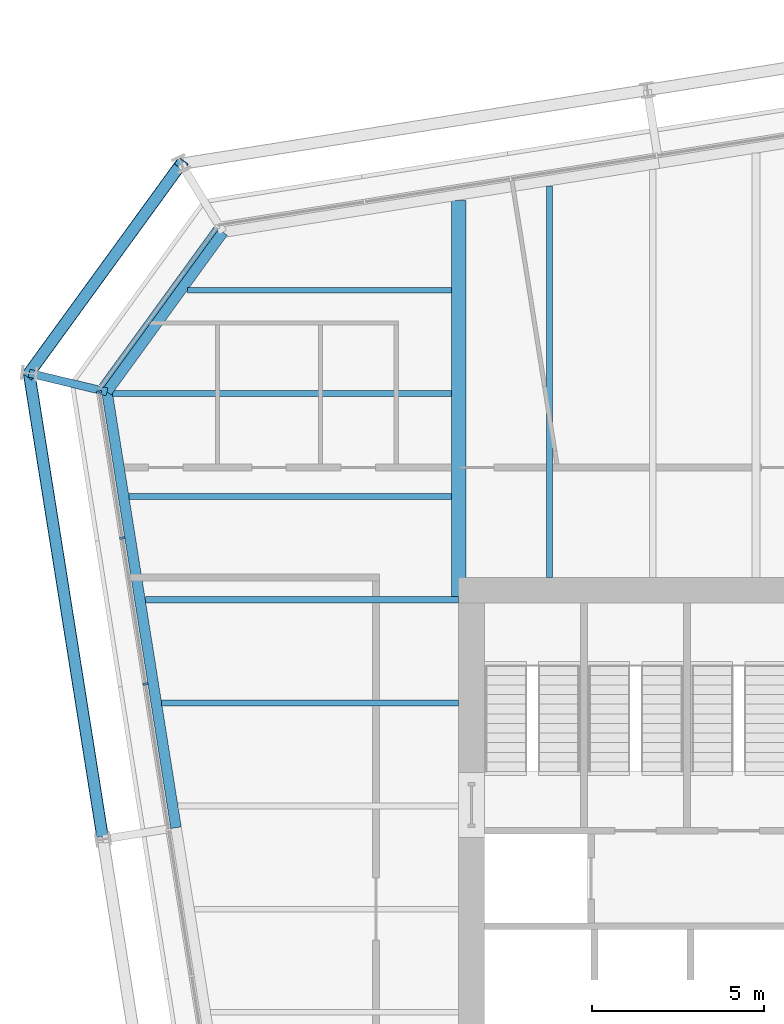
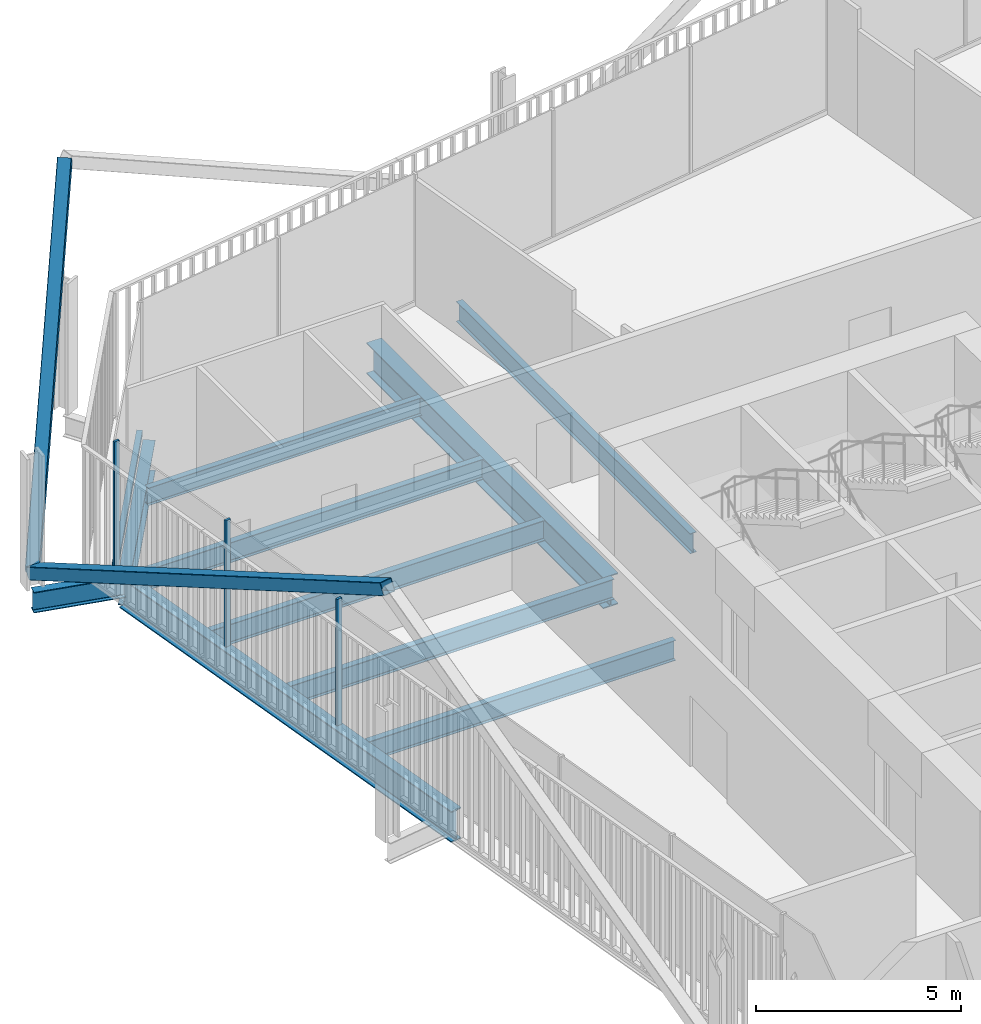
# One storey, part 10 of 22: 10 beams, 6 members, 2 elements without a shape of their own.
"""IFC4 building model written with IfcOpenShell, lengths in metres."""

from ifc_helpers import new_model, si_unit, direction, frame, origin, origin_2d, place, context, subcontext, project, spatial, rectangle, hollow_rectangle, i_section, extrude, material, layer, layer_set, material_profile, profile_set, type_object, element, aggregate, save


model = new_model("IFC4")

# Units and contexts
model_context = context("Model", 3, precision=1e-05, world=origin(), true_north=direction((0.0, 1.0)))
body_context = subcontext(model_context, "Body", "Model", "MODEL_VIEW")
ifc_project = project(units=[si_unit("LENGTHUNIT", "METRE"), si_unit("AREAUNIT", "SQUARE_METRE"), si_unit("VOLUMEUNIT", "CUBIC_METRE"), si_unit("PLANEANGLEUNIT", "RADIAN"), si_unit("MASSUNIT", "GRAM", prefix="KILO")], contexts=[model_context])

# Site, building, storey
site_placement = place(None, origin())
site = spatial("IfcSite", under=ifc_project, at=site_placement, CompositionType="ELEMENT")
building_placement = place(site_placement, origin())
building = spatial("IfcBuilding", under=site, at=building_placement, Name="Millrace Tower", CompositionType="ELEMENT")
storey_placement = place(building_placement, frame((0.0, 0.0, 137.300048828125)))
storey = spatial("IfcBuildingStorey", under=building, at=storey_placement, Name="L30", CompositionType="ELEMENT", Elevation=137.300048828125)

# Curtain wall, members
ifc_material_1 = material(Name="Aluminium and glass", Category="aluminium")
ifc_layer = layer(ifc_material_1, 0.14990234375)
ifc_layer_set = layer_set([ifc_layer], Name="Aluminium and glass")
curtain_wall_type = type_object("IfcCurtainWallType", Name="CW-1 office vision curtain wall", PredefinedType="NOTDEFINED", material=ifc_layer_set)
placement = place(storey_placement, origin())
curtain_wall_1 = element("IfcCurtainWall", 1, at=placement, inside=storey, type_object=curtain_wall_type, Name="Curtain wall C-F08 L30", PredefinedType="NOTDEFINED")
ifc_material_2 = material(Name="Aluminium", Category="aluminium")
ifc_material_profile_1 = material_profile(ifc_material_2, rectangle(XDim=0.06494140625, YDim=0.14990234375, at=origin_2d()))
ifc_profile_set_1 = profile_set([ifc_material_profile_1], Name="Aluminium")
member_type_1 = type_object("IfcMemberType", Name="CW-1 office vision curtain wall mullion", PredefinedType="MULLION", material=ifc_profile_set_1)
member_1_placement = place(storey_placement, frame((-25.106689453125, 15.041748046875, 0.139892578125), z_axis=(0.0, 0.0, 1.0), x_axis=(0.15643447328, -0.98768833929, 0.0)))
member_1 = element("IfcMember", 2, at=member_1_placement, type_object=member_type_1, Name="CW1 mullion C-F08.1", PredefinedType="MULLION", context=body_context, shape_type="SweptSolid", body=[
    extrude(rectangle(XDim=0.06494140625, YDim=0.14990234375, at=origin_2d()), origin(), (0.0, 0.0, 1.0), 3.760009765625),
])
member_2_placement = place(storey_placement, frame((-24.43408203125, 10.794677734375, 0.139892578125), z_axis=(0.0, 0.0, 1.0), x_axis=(0.15643447328, -0.98768833929, 0.0)))
member_2 = element("IfcMember", 3, at=member_2_placement, type_object=member_type_1, Name="CW1 mullion C-F08.2", PredefinedType="MULLION", context=body_context, shape_type="SweptSolid", body=[
    extrude(rectangle(XDim=0.06494140625, YDim=0.14990234375, at=origin_2d()), origin(), (0.0, 0.0, 1.0), 3.760009765625),
])
member_3_placement = place(storey_placement, frame((-23.76123046875, 6.547607421875, 0.139892578125), z_axis=(0.0, 0.0, 1.0), x_axis=(0.15643447328, -0.98768833929, 0.0)))
member_3 = element("IfcMember", 4, at=member_3_placement, type_object=member_type_1, Name="CW1 mullion C-F08.3", PredefinedType="MULLION", context=body_context, shape_type="SweptSolid", body=[
    extrude(rectangle(XDim=0.06494140625, YDim=0.14990234375, at=origin_2d()), origin(), (0.0, 0.0, 1.0), 3.760009765625),
])
aggregate(curtain_wall_1, [member_1, member_2, member_3])

# Curtain wall, member
curtain_wall_2 = element("IfcCurtainWall", 5, at=placement, inside=storey, type_object=curtain_wall_type, Name="Curtain wall C-F07 L30", PredefinedType="NOTDEFINED")
ifc_material_3 = material(Name="Aluminium", Category="aluminium")
ifc_material_profile_2 = material_profile(ifc_material_3, rectangle(XDim=0.14990234375, YDim=0.139892578125, at=origin_2d()))
ifc_profile_set_2 = profile_set([ifc_material_profile_2], Name="Aluminium")
member_type_2 = type_object("IfcMemberType", Name="CW-1 office vision curtain wall transom", PredefinedType="USERDEFINED", material=ifc_profile_set_2)
member_4_placement = place(storey_placement, frame((-21.70751953125, 19.796875, 0.070068359375), z_axis=(-0.587761915215, -0.80903394924, 0.0), x_axis=(0.80903394924, -0.587761915215, 0.0)))
member_4 = element("IfcMember", 6, at=member_4_placement, type_object=member_type_2, Name="CW1 transom C-F07.1", ObjectType="TRANSOM", PredefinedType="USERDEFINED", context=body_context, shape_type="SweptSolid", body=[
    extrude(rectangle(XDim=0.14990234375, YDim=0.139892578125, at=origin_2d()), origin(), (0.0, 0.0, 1.0), 5.6689453125),
])
aggregate(curtain_wall_2, [member_4])

# Members
ifc_material_4 = material(Name="Steel ASTM A500 Grade C", Category="steel")
ifc_material_profile_3 = material_profile(ifc_material_4, hollow_rectangle(XDim=0.355712890625, YDim=0.355712890625, WallThickness=0.015869140625, InnerFilletRadius=0.008056640625, OuterFilletRadius=0.02392578125, at=origin_2d()))
ifc_profile_set_3 = profile_set([ifc_material_profile_3], Name="Steel ASTM A500 Grade C")
member_type_3 = type_object("IfcMemberType", Name="Exoskeleton brace HSS14x14x5/8", PredefinedType="BRACE", material=ifc_profile_set_3)
member_5_placement = place(storey_placement, frame((-27.142578125, 15.5908203125, 0.39990234375), z_axis=(0.430389097037, 0.592387752691, 0.681059450866), x_axis=(-0.809020759968, 0.587780069364, 0.0)))
element("IfcMember", 7, at=member_5_placement, inside=storey, type_object=member_type_3, Name="BRC-C-L30-13", PredefinedType="BRACE", context=body_context, shape_type="SweptSolid", body=[
    extrude(hollow_rectangle(XDim=0.355712890625, YDim=0.355712890625, WallThickness=0.015869140625, InnerFilletRadius=0.008056640625, OuterFilletRadius=0.02392578125, at=origin_2d()), origin(), (0.0, 0.0, 1.0), 10.278076171875),
])
member_6_placement = place(storey_placement, frame((-27.142578125, 15.5908203125, 0.39990234375), z_axis=(0.139355372932, -0.879906554943, 0.454251620363), x_axis=(0.987689751328, 0.156425557764, 0.0)))
element("IfcMember", 8, at=member_6_placement, inside=storey, type_object=member_type_3, Name="BRC-C-L30-14", PredefinedType="BRACE", context=body_context, shape_type="SweptSolid", body=[
    extrude(hollow_rectangle(XDim=0.355712890625, YDim=0.355712890625, WallThickness=0.015869140625, InnerFilletRadius=0.008056640625, OuterFilletRadius=0.02392578125, at=origin_2d()), origin(), (0.0, 0.0, 1.0), 15.409912109375),
])

# Beams
ifc_material_5 = material(Name="Steel ASTM A992 Grade 50", Category="steel")
ifc_material_profile_4 = material_profile(ifc_material_5, i_section(OverallWidth=0.1650390625, OverallDepth=0.52587890625, WebThickness=0.0087890625, FlangeThickness=0.011474609375, FilletRadius=0.0126953125, at=origin_2d()))
ifc_profile_set_4 = profile_set([ifc_material_profile_4], Name="Steel ASTM A992 Grade 50")
beam_type_1 = type_object("IfcBeamType", Name="Floor beam W21x44", PredefinedType="JOIST", material=ifc_profile_set_4)
beam_1_placement = place(storey_placement, frame((-22.540283203125, 18.0, -0.4228515625), z_axis=(1.0, 0.0, 0.0), x_axis=(0.0, 1.0, 0.0)))
element("IfcBeam", 9, at=beam_1_placement, inside=storey, type_object=beam_type_1, Name="BM-C-L30-S1-S035", PredefinedType="JOIST", context=body_context, shape_type="SweptSolid", body=[
    extrude(i_section(OverallWidth=0.1650390625, OverallDepth=0.52587890625, WebThickness=0.0087890625, FlangeThickness=0.011474609375, FilletRadius=0.0126953125, at=origin_2d()), origin(), (0.0, 0.0, 1.0), 7.6806640625),
])
ifc_material_6 = material(Name="Steel ASTM A992 Grade 50", Category="steel")
ifc_material_profile_5 = material_profile(ifc_material_6, i_section(OverallWidth=0.177978515625, OverallDepth=0.599365234375, WebThickness=0.010009765625, FlangeThickness=0.012939453125, FilletRadius=0.012939453125, at=origin_2d()))
ifc_profile_set_5 = profile_set([ifc_material_profile_5], Name="Steel ASTM A992 Grade 50")
beam_type_2 = type_object("IfcBeamType", Name="Floor beam W24x55", PredefinedType="JOIST", material=ifc_profile_set_5)
beam_2_placement = place(storey_placement, frame((-23.28759765625, 6.0, -0.459716796875), z_axis=(1.0, 0.0, 0.0), x_axis=(0.0, 1.0, 0.0)))
element("IfcBeam", 10, at=beam_2_placement, inside=storey, type_object=beam_type_2, Name="BM-C-L30-S1-S026", PredefinedType="JOIST", context=body_context, shape_type="SweptSolid", body=[
    extrude(i_section(OverallWidth=0.177978515625, OverallDepth=0.599365234375, WebThickness=0.010009765625, FlangeThickness=0.012939453125, FilletRadius=0.012939453125, at=origin_2d()), origin(), (0.0, 0.0, 1.0), 8.6376953125),
])
beam_3_placement = place(storey_placement, frame((-23.7626953125, 9.0, -0.459716796875), z_axis=(1.0, 0.0, 0.0), x_axis=(0.0, 1.0, 0.0)))
element("IfcBeam", 11, at=beam_3_placement, inside=storey, type_object=beam_type_2, Name="BM-C-L30-S1-S029", PredefinedType="JOIST", context=body_context, shape_type="SweptSolid", body=[
    extrude(i_section(OverallWidth=0.177978515625, OverallDepth=0.599365234375, WebThickness=0.010009765625, FlangeThickness=0.012939453125, FilletRadius=0.012939453125, at=origin_2d()), origin(), (0.0, 0.0, 1.0), 9.11279296875),
])
beam_4_placement = place(storey_placement, frame((-24.23779296875, 12.0, -0.459716796875), z_axis=(1.0, 0.0, 0.0), x_axis=(0.0, 1.0, 0.0)))
element("IfcBeam", 12, at=beam_4_placement, inside=storey, type_object=beam_type_2, Name="BM-C-L30-S1-S031", PredefinedType="JOIST", context=body_context, shape_type="SweptSolid", body=[
    extrude(i_section(OverallWidth=0.177978515625, OverallDepth=0.599365234375, WebThickness=0.010009765625, FlangeThickness=0.012939453125, FilletRadius=0.012939453125, at=origin_2d()), origin(), (0.0, 0.0, 1.0), 9.378173828125),
])
beam_5_placement = place(storey_placement, frame((-24.712890625, 15.0, -0.459716796875), z_axis=(1.0, 0.0, 0.0), x_axis=(0.0, 1.0, 0.0)))
element("IfcBeam", 13, at=beam_5_placement, inside=storey, type_object=beam_type_2, Name="BM-C-L30-S1-S033", PredefinedType="JOIST", context=body_context, shape_type="SweptSolid", body=[
    extrude(i_section(OverallWidth=0.177978515625, OverallDepth=0.599365234375, WebThickness=0.010009765625, FlangeThickness=0.012939453125, FilletRadius=0.012939453125, at=origin_2d()), origin(), (0.0, 0.0, 1.0), 9.853271484375),
])
ifc_material_7 = material(Name="Steel ASTM A992 Grade 50", Category="steel")
ifc_material_profile_6 = material_profile(ifc_material_7, i_section(OverallWidth=0.1787109375, OverallDepth=0.60205078125, WebThickness=0.010986328125, FlangeThickness=0.014892578125, FilletRadius=0.0126953125, at=origin_2d()))
ifc_profile_set_6 = profile_set([ifc_material_profile_6], Name="Steel ASTM A992 Grade 50")
beam_type_3 = type_object("IfcBeamType", Name="Floor beam W24x62", PredefinedType="JOIST", material=ifc_profile_set_6)
beam_6_placement = place(storey_placement, frame((-12.0, 9.64990234375, -0.4609375), z_axis=(0.0, 1.0, 0.0), x_axis=(-1.0, 0.0, 0.0)))
element("IfcBeam", 14, at=beam_6_placement, inside=storey, type_object=beam_type_3, Name="BM-C-L30-S1-S039", PredefinedType="JOIST", context=body_context, shape_type="SweptSolid", body=[
    extrude(i_section(OverallWidth=0.1787109375, OverallDepth=0.60205078125, WebThickness=0.010986328125, FlangeThickness=0.014892578125, FilletRadius=0.0126953125, at=origin_2d()), origin(), (0.0, 0.0, 1.0), 11.39111328125),
])
ifc_material_8 = material(Name="Steel ASTM A992 Grade 50", Category="steel")
ifc_material_profile_7 = material_profile(ifc_material_8, i_section(OverallWidth=0.419189453125, OverallDepth=0.927001953125, WebThickness=0.019287109375, FlangeThickness=0.031982421875, FilletRadius=0.024169921875, at=origin_2d()))
ifc_profile_set_7 = profile_set([ifc_material_profile_7], Name="Steel ASTM A992 Grade 50")
beam_type_4 = type_object("IfcBeamType", Name="Girder short span W36x231", PredefinedType="BEAM", material=ifc_profile_set_7)
beam_7_placement = place(storey_placement, frame((-14.64990234375, 9.090087890625, -0.62353515625), z_axis=(0.0, 1.0, 0.0), x_axis=(-1.0, 0.0, 0.0)))
element("IfcBeam", 15, at=beam_7_placement, inside=storey, type_object=beam_type_4, Name="BM-C-L30-S1-G057", PredefinedType="BEAM", context=body_context, shape_type="SweptSolid", body=[
    extrude(i_section(OverallWidth=0.419189453125, OverallDepth=0.927001953125, WebThickness=0.019287109375, FlangeThickness=0.031982421875, FilletRadius=0.024169921875, at=origin_2d()), origin(), (0.0, 0.0, 1.0), 11.523193359375),
])
ifc_material_9 = material(Name="Steel ASTM A992 Grade 50", Category="steel")
ifc_material_profile_8 = material_profile(ifc_material_9, i_section(OverallWidth=0.23046875, OverallDepth=0.6171875, WebThickness=0.01318359375, FlangeThickness=0.022216796875, FilletRadius=0.012939453125, at=origin_2d()))
ifc_profile_set_8 = profile_set([ifc_material_profile_8], Name="Steel ASTM A992 Grade 50")
beam_type_5 = type_object("IfcBeamType", Name="Link beam W24x94", PredefinedType="BEAM", material=ifc_profile_set_8)
beam_8_placement = place(storey_placement, frame((-24.8759765625, 15.046630859375, -0.46875), z_axis=(-0.972367333652, 0.233456138164, 0.0), x_axis=(-0.233456138164, -0.972367333652, 0.0)))
element("IfcBeam", 16, at=beam_8_placement, inside=storey, type_object=beam_type_5, Name="LNK-C-L30-S1-04", PredefinedType="BEAM", context=body_context, shape_type="SweptSolid", body=[
    extrude(i_section(OverallWidth=0.23046875, OverallDepth=0.6171875, WebThickness=0.01318359375, FlangeThickness=0.022216796875, FilletRadius=0.012939453125, at=origin_2d()), origin(), (0.0, 0.0, 1.0), 2.3310546875),
])
ifc_material_10 = material(Name="Steel ASTM A992 Grade 50", Category="steel")
ifc_material_profile_9 = material_profile(ifc_material_10, i_section(OverallWidth=0.307373046875, OverallDepth=0.927001953125, WebThickness=0.01953125, FlangeThickness=0.031982421875, FilletRadius=0.01904296875, at=origin_2d()))
ifc_profile_set_9 = profile_set([ifc_material_profile_9], Name="Steel ASTM A992 Grade 50")
beam_type_6 = type_object("IfcBeamType", Name="Ring beam medium span W36x194", PredefinedType="SPANDREL", material=ifc_profile_set_9)
beam_9_placement = place(storey_placement, frame((-22.867919921875, 2.368408203125, -0.62353515625), z_axis=(-0.156436246498, 0.987688058438, 0.0), x_axis=(-0.987688058438, -0.156436246498, 0.0)))
element("IfcBeam", 17, at=beam_9_placement, inside=storey, type_object=beam_type_6, Name="RNG-C-L30-S1-03", PredefinedType="SPANDREL", context=body_context, shape_type="SweptSolid", body=[
    extrude(i_section(OverallWidth=0.307373046875, OverallDepth=0.927001953125, WebThickness=0.01953125, FlangeThickness=0.031982421875, FilletRadius=0.01904296875, at=origin_2d()), origin(), (0.0, 0.0, 1.0), 12.836181640625),
])
ifc_material_11 = material(Name="Steel ASTM A992 Grade 50", Category="steel")
ifc_material_profile_10 = material_profile(ifc_material_11, i_section(OverallWidth=0.307373046875, OverallDepth=0.927001953125, WebThickness=0.01953125, FlangeThickness=0.031982421875, FilletRadius=0.01904296875, at=origin_2d()))
ifc_profile_set_10 = profile_set([ifc_material_profile_10], Name="Steel ASTM A992 Grade 50")
beam_type_7 = type_object("IfcBeamType", Name="Ring beam short span W36x194", PredefinedType="SPANDREL", material=ifc_profile_set_10)
beam_10_placement = place(storey_placement, frame((-24.8759765625, 15.046630859375, -0.62353515625), z_axis=(0.587787348381, 0.809015471473, 0.0), x_axis=(-0.809015471473, 0.587787348381, 0.0)))
element("IfcBeam", 18, at=beam_10_placement, inside=storey, type_object=beam_type_7, Name="RNG-C-L30-S1-04", PredefinedType="SPANDREL", context=body_context, shape_type="SweptSolid", body=[
    extrude(i_section(OverallWidth=0.307373046875, OverallDepth=0.927001953125, WebThickness=0.01953125, FlangeThickness=0.031982421875, FilletRadius=0.01904296875, at=origin_2d()), origin(), (0.0, 0.0, 1.0), 5.741943359375),
])

save(model, "model.ifc")
